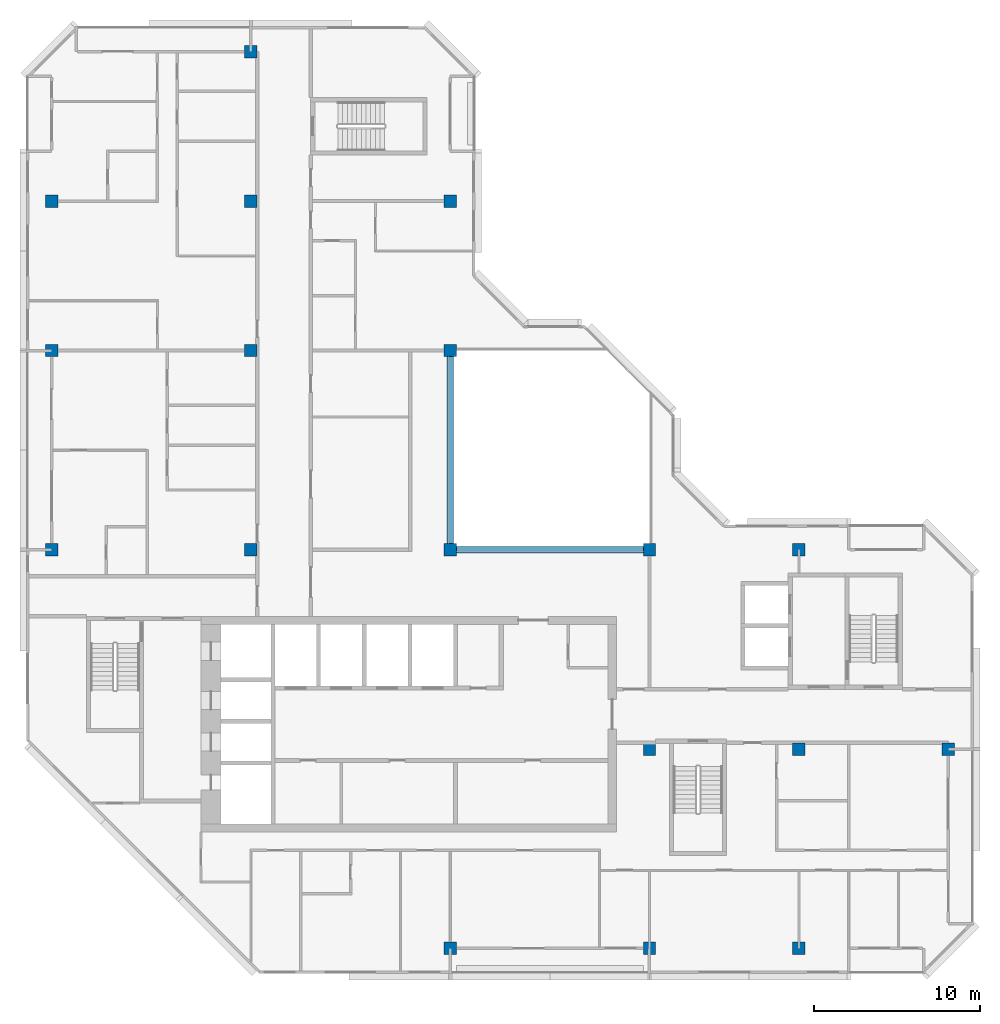
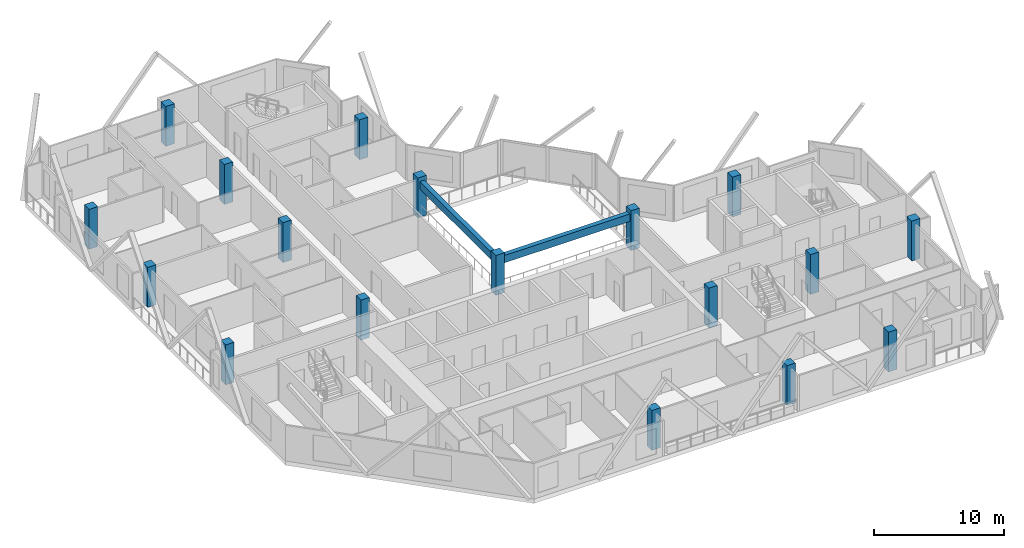
# One storey, part 1 of 12: 18 columns, 2 beams.
"""IFC4 building model written with IfcOpenShell, lengths in metres."""

import ifcopenshell
import ifcopenshell.guid

model = None  # the IFC model being written
_history = None  # IfcOwnerHistory: only IFC2X3 demands one
_inside = {}  # id of a spatial element -> (the spatial element, [elements in it])
_under = {}  # id of a project, library or spatial element -> (it, [spatial elements below it])
_declared = {}  # id of a project -> (the project, [libraries it declares])
_typed = {}  # id of a type object -> (the type object, [elements of that type])
_made_of = {}  # id of a material, layer set ... -> (it, [elements and type objects made of it])


def new_model(schema):
    """Start an empty IFC model of exactly this schema.

    Asked for "IFC4X3", IfcOpenShell would pick the latest addendum, in which some entities
    have other attributes; the version numbers below select the first issue.
    IFC2X3 requires an IfcOwnerHistory on every rooted entity: one is made here for all.
    """
    global model, _history
    if schema == "IFC4X3":
        model = ifcopenshell.file(schema_version=(4, 3, 0, 0))
    else:
        model = ifcopenshell.file(schema=schema)
    _inside.clear()
    _under.clear()
    _declared.clear()
    _typed.clear()
    _made_of.clear()
    _history = None
    if model.schema == "IFC2X3":
        org = make("IfcOrganization", Name="unknown")
        user = make(
            "IfcPersonAndOrganization",
            ThePerson=make("IfcPerson", FamilyName="unknown"),
            TheOrganization=org,
        )
        app = make(
            "IfcApplication",
            ApplicationDeveloper=org,
            Version="unknown",
            ApplicationFullName="unknown",
            ApplicationIdentifier="unknown",
        )
        _history = make(
            "IfcOwnerHistory",
            OwningUser=user,
            OwningApplication=app,
            ChangeAction="ADDED",
            CreationDate=0,
        )
    return model


def make(cls, **values):
    """One entity of the class cls with the attributes given. An attribute that is None is left unset."""
    return model.create_entity(
        cls, **{name: value for name, value in values.items() if value is not None}
    )


def rooted(cls, **values):
    """An entity with a GlobalId (a new one), such as an element, a storey or a relation."""
    return make(cls, GlobalId=ifcopenshell.guid.new(), OwnerHistory=_history, **values)


def si_unit(unit_type, name, prefix=None):
    """IfcSIUnit, for example si_unit("LENGTHUNIT", "METRE", prefix="MILLI")."""
    return make("IfcSIUnit", UnitType=unit_type, Prefix=prefix, Name=name)


def assignment(units):
    """IfcUnitAssignment: the units of a project."""
    return None if units is None else make("IfcUnitAssignment", Units=units)


def point(xyz):
    """IfcCartesianPoint."""
    return None if xyz is None else make("IfcCartesianPoint", Coordinates=xyz)


def direction(xyz):
    """IfcDirection."""
    return None if xyz is None else make("IfcDirection", DirectionRatios=xyz)


def frame(location, z_axis=None, x_axis=None):
    """IfcAxis2Placement3D, a coordinate frame: its origin and axes. An axis left out is left unset."""
    return make(
        "IfcAxis2Placement3D",
        Location=point(location),
        Axis=direction(z_axis),
        RefDirection=direction(x_axis),
    )


def frame_2d(location, x_axis=None):
    """IfcAxis2Placement2D, a coordinate frame in the plane: its origin and x axis."""
    return make(
        "IfcAxis2Placement2D", Location=point(location), RefDirection=direction(x_axis)
    )


def origin():
    """The frame at (0, 0, 0) with its axes left unset."""
    return frame((0.0, 0.0, 0.0))


def origin_2d():
    """The frame at (0, 0) in the plane with its x axis left unset."""
    return frame_2d((0.0, 0.0))


def place(relative_to, where):
    """IfcLocalPlacement: puts the frame where relative to a parent placement (None: the world)."""
    return make(
        "IfcLocalPlacement", PlacementRelTo=relative_to, RelativePlacement=where
    )


def context(
    kind, dimensions, precision=None, world=None, true_north=None, identifier=None
):
    """IfcGeometricRepresentationContext, for example the 3D "Model" context."""
    return make(
        "IfcGeometricRepresentationContext",
        ContextIdentifier=identifier,
        ContextType=kind,
        CoordinateSpaceDimension=dimensions,
        Precision=precision,
        WorldCoordinateSystem=world,
        TrueNorth=true_north,
    )


def subcontext(parent, identifier, kind, view, scale=None):
    """IfcGeometricRepresentationSubContext, for example "Body" below "Model"."""
    return make(
        "IfcGeometricRepresentationSubContext",
        ContextIdentifier=identifier,
        ContextType=kind,
        ParentContext=parent,
        TargetScale=scale,
        TargetView=view,
    )


def project(units=None, contexts=None):
    """IfcProject with its units and contexts."""
    return rooted(
        "IfcProject",
        Name="project",
        RepresentationContexts=contexts,
        UnitsInContext=assignment(units),
    )


def spatial(cls, under=None, at=None, **own):
    """A site, building, storey or space (cls), placed at a placement, below another one or the project."""
    s = rooted(cls, ObjectPlacement=at, **own)
    if under is not None:
        _under.setdefault(under.id(), (under, []))[1].append(s)
    return s


def profile(cls, at=None, kind="AREA", **sizes):
    """A parametric profile (cls). Its sizes go by their IFC names, for example OverallWidth=200.0."""
    return make(cls, ProfileType=kind, Position=at, **sizes)


def rectangle(**sizes):
    """IfcRectangleProfileDef."""
    return profile("IfcRectangleProfileDef", **sizes)


def extrude(swept, where, along, depth):
    """IfcExtrudedAreaSolid: the profile swept, set in the frame where, extruded along a direction by depth."""
    return make(
        "IfcExtrudedAreaSolid",
        SweptArea=swept,
        Position=where,
        ExtrudedDirection=direction(along),
        Depth=depth,
    )


def shape(context_of_items, identifier, shape_type, items):
    """IfcShapeRepresentation: the items that make up one representation, for example the "Body"."""
    return make(
        "IfcShapeRepresentation",
        ContextOfItems=context_of_items,
        RepresentationIdentifier=identifier,
        RepresentationType=shape_type,
        Items=items,
    )


def material(Name=None, Category=None):
    """IfcMaterial."""
    return make("IfcMaterial", Name=Name, Category=Category)


def material_profile(
    of_material, cross_section, Name=None, Category=None, Priority=None
):
    """IfcMaterialProfile: a cross section and its material."""
    return make(
        "IfcMaterialProfile",
        Name=Name,
        Material=of_material,
        Profile=cross_section,
        Priority=Priority,
        Category=Category,
    )


def profile_set(profiles, Name=None, composite=None):
    """IfcMaterialProfileSet."""
    return make(
        "IfcMaterialProfileSet",
        Name=Name,
        MaterialProfiles=profiles,
        CompositeProfile=composite,
    )


def made_of(thing, what):
    """Note that an element or type object is made of a material, layer set ...; save() writes the relation."""
    if what is not None:
        _made_of.setdefault(what.id(), (what, []))[1].append(thing)
    return thing


def type_object(cls, material=None, **own):
    """A type object (cls), such as IfcWallType, which elements share."""
    return made_of(rooted(cls, **own), material)


def element(
    cls,
    number,
    at=None,
    inside=None,
    cuts=None,
    type_object=None,
    material=None,
    context=None,
    identifier="Body",
    shape_type=None,
    held_by="IfcProductDefinitionShape",
    body=None,
    shapes=None,
    **own,
):
    """One element of the class cls, such as IfcWall. Its Tag is "e" and its number.

    at: its placement. inside: the storey or other place that contains it. cuts: it is an
    opening in that element (IfcRelVoidsElement). A single representation is given by context,
    identifier, shape_type and body (its items); several are given by shapes. held_by: the class
    of the entity that holds the representations. save() writes the other relations.
    """
    e = rooted(cls, Tag="e%d" % number, ObjectPlacement=at, **own)
    if body is not None:
        shapes = [shape(context, identifier, shape_type, body)]
    if shapes is not None:
        e.Representation = make(held_by, Representations=shapes)
    if inside is not None:
        _inside.setdefault(inside.id(), (inside, []))[1].append(e)
    if cuts is not None:
        rooted(
            "IfcRelVoidsElement", RelatingBuildingElement=cuts, RelatedOpeningElement=e
        )
    if type_object is not None:
        _typed.setdefault(type_object.id(), (type_object, []))[1].append(e)
    return made_of(e, material)


def aggregate(whole, parts):
    """IfcRelAggregates: a whole, such as a stair, and the parts it consists of."""
    return rooted("IfcRelAggregates", RelatingObject=whole, RelatedObjects=parts)


def save(model, path):
    """Write the relations noted so far, then the file.

    IfcRelAggregates (storeys below a building ...), IfcRelContainedInSpatialStructure (elements
    in a storey), IfcRelDefinesByType, IfcRelAssociatesMaterial and IfcRelDeclares: one each for
    every whole, place, type object, material and project.
    """
    for whole, parts in _under.values():
        aggregate(whole, parts)
    for where, things in _inside.values():
        rooted(
            "IfcRelContainedInSpatialStructure",
            RelatedElements=things,
            RelatingStructure=where,
        )
    for kind, things in _typed.values():
        rooted("IfcRelDefinesByType", RelatedObjects=things, RelatingType=kind)
    for what, things in _made_of.values():
        rooted("IfcRelAssociatesMaterial", RelatedObjects=things, RelatingMaterial=what)
    for by, libraries in _declared.values():
        rooted("IfcRelDeclares", RelatingContext=by, RelatedDefinitions=libraries)
    model.write(path)


model = new_model("IFC4")

# Units and contexts
model_context = context("Model", 3, precision=1e-05, world=origin(), true_north=direction((0.0, 1.0)))
body_context = subcontext(model_context, "Body", "Model", "MODEL_VIEW")
ifc_project = project(units=[si_unit("LENGTHUNIT", "METRE"), si_unit("AREAUNIT", "SQUARE_METRE"), si_unit("VOLUMEUNIT", "CUBIC_METRE"), si_unit("PLANEANGLEUNIT", "RADIAN"), si_unit("MASSUNIT", "GRAM", prefix="KILO")], contexts=[model_context])

# Site, building, storey
site_placement = place(None, origin())
site = spatial("IfcSite", under=ifc_project, at=site_placement, CompositionType="ELEMENT")
building_placement = place(site_placement, origin())
building = spatial("IfcBuilding", under=site, at=building_placement, Name="Chenar Terraces", CompositionType="ELEMENT")
storey_placement = place(building_placement, frame((0.0, 0.0, 368.89990234375)))
storey = spatial("IfcBuildingStorey", under=building, at=storey_placement, Name="L86", CompositionType="ELEMENT", Elevation=368.89990234375)

# Columns
ifc_material_1 = material(Name="Concrete C50/60", Category="concrete")
ifc_material_profile_1 = material_profile(ifc_material_1, rectangle(XDim=0.75, YDim=0.75, at=origin_2d()), Name="C 750 x 750")
ifc_profile_set_1 = profile_set([ifc_material_profile_1], Name="Concrete C50/60")
column_type = type_object("IfcColumnType", Name="Column C 750 x 750 Concrete C50/60", PredefinedType="COLUMN", material=ifc_profile_set_1)
column_1_placement = place(storey_placement, frame((0.0, 24.0, 0.0), z_axis=(0.0, 0.0, 1.0), x_axis=(1.0, 0.0, 0.0)))
element("IfcColumn", 1, at=column_1_placement, inside=storey, type_object=column_type, Name="Column 5/G L86", PredefinedType="COLUMN", context=body_context, shape_type="SweptSolid", body=[
    extrude(rectangle(XDim=0.75, YDim=0.75, at=origin_2d()), origin(), (0.0, 0.0, 1.0), 3.75),
])
column_2_placement = place(storey_placement, frame((0.0, 36.0, 0.0), z_axis=(0.0, 0.0, 1.0), x_axis=(1.0, 0.0, 0.0)))
element("IfcColumn", 2, at=column_2_placement, inside=storey, type_object=column_type, Name="Column 5/H L86", PredefinedType="COLUMN", context=body_context, shape_type="SweptSolid", body=[
    extrude(rectangle(XDim=0.75, YDim=0.75, at=origin_2d()), origin(), (0.0, 0.0, 1.0), 3.75),
])
column_3_placement = place(storey_placement, frame((0.0, 45.0, 0.0), z_axis=(0.0, 0.0, 1.0), x_axis=(1.0, 0.0, 0.0)))
element("IfcColumn", 3, at=column_3_placement, inside=storey, type_object=column_type, Name="Column 5/J L86", PredefinedType="COLUMN", context=body_context, shape_type="SweptSolid", body=[
    extrude(rectangle(XDim=0.75, YDim=0.75, at=origin_2d()), origin(), (0.0, 0.0, 1.0), 3.75),
])
for number, where, z_axis, x_axis, name in (
    (4, (12.0, 24.0, 0.0), (0.0, 0.0, 1.0), (1.0, 0.0, 0.0), "Column 6/G L86"),
    (5, (12.0, 36.0, 0.0), (0.0, 0.0, 1.0), (1.0, 0.0, 0.0), "Column 6/H L86"),
    (6, (12.0, 45.0, 0.0), (0.0, 0.0, 1.0), (1.0, 0.0, 0.0), "Column 6/J L86"),
    (7, (12.0, 54.0, 0.0), (0.0, 0.0, 1.0), (1.0, 0.0, 0.0), "Column 6/K L86"),
    (8, (24.0, 0.0, 0.0), (0.0, 0.0, 1.0), (1.0, 0.0, 0.0), "Column 7/E L86"),
    (9, (24.0, 24.0, 0.0), (0.0, 0.0, 1.0), (1.0, 0.0, 0.0), "Column 7/G L86"),
    (10, (24.0, 36.0, 0.0), (0.0, 0.0, 1.0), (1.0, 0.0, 0.0), "Column 7/H L86"),
    (11, (24.0, 45.0, 0.0), (0.0, 0.0, 1.0), (1.0, 0.0, 0.0), "Column 7/J L86"),
    (12, (36.0, 0.0, 0.0), (0.0, 0.0, 1.0), (1.0, 0.0, 0.0), "Column 8/E L86"),
    (13, (36.0, 12.0, 0.0), (0.0, 0.0, 1.0), (1.0, 0.0, 0.0), "Column 8/F L86"),
    (14, (36.0, 24.0, 0.0), (0.0, 0.0, 1.0), (1.0, 0.0, 0.0), "Column 8/G L86"),
    (15, (45.0, 0.0, 0.0), (0.0, 0.0, 1.0), (1.0, 0.0, 0.0), "Column 9/E L86"),
    (16, (45.0, 12.0, 0.0), (0.0, 0.0, 1.0), (1.0, 0.0, 0.0), "Column 9/F L86"),
    (17, (45.0, 24.0, 0.0), (0.0, 0.0, 1.0), (1.0, 0.0, 0.0), "Column 9/G L86"),
    (18, (54.0, 12.0, 0.0), (0.0, 0.0, 1.0), (1.0, 0.0, 0.0), "Column 10/F L86"),
):
    element("IfcColumn", number, at=place(storey_placement, frame(where, z_axis=z_axis, x_axis=x_axis)), inside=storey, type_object=column_type, Name=name, PredefinedType="COLUMN", context=body_context, shape_type="SweptSolid", body=[
        extrude(rectangle(XDim=0.75, YDim=0.75, at=origin_2d()), origin(), (0.0, 0.0, 1.0), 3.75),
    ])

# Beams
ifc_material_2 = material(Name="Concrete C40/50", Category="concrete")
ifc_material_profile_2 = material_profile(ifc_material_2, rectangle(XDim=0.39990234375, YDim=0.699951171875, at=origin_2d()), Name="RC 400 x 700")
ifc_profile_set_2 = profile_set([ifc_material_profile_2], Name="Concrete C40/50")
beam_type = type_object("IfcBeamType", Name="Atrium edge beam 400 x 700 Concrete C40/50", PredefinedType="BEAM", material=ifc_profile_set_2)
for number, where, z_axis, x_axis, name in (
    (19, (24.375, 24.0, 3.0), (1.0, 0.0, 0.0), (0.0, 1.0, 0.0), "Atrium edge beam L87 1"),
    (20, (24.0, 35.625, 3.0), (0.0, -1.0, 0.0), (1.0, 0.0, 0.0), "Atrium edge beam L87 4"),
):
    element("IfcBeam", number, at=place(storey_placement, frame(where, z_axis=z_axis, x_axis=x_axis)), inside=storey, type_object=beam_type, Name=name, PredefinedType="BEAM", context=body_context, shape_type="SweptSolid", body=[
        extrude(rectangle(XDim=0.39990234375, YDim=0.699951171875, at=origin_2d()), origin(), (0.0, 0.0, 1.0), 11.25),
    ])

save(model, "model.ifc")
